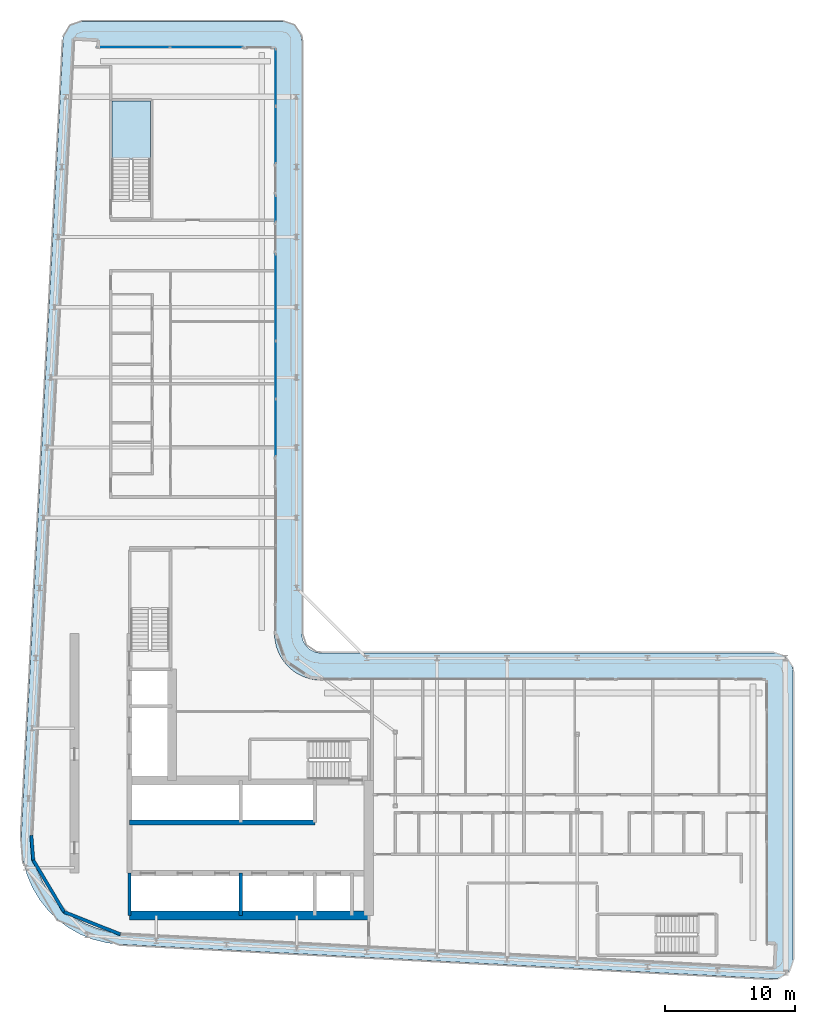
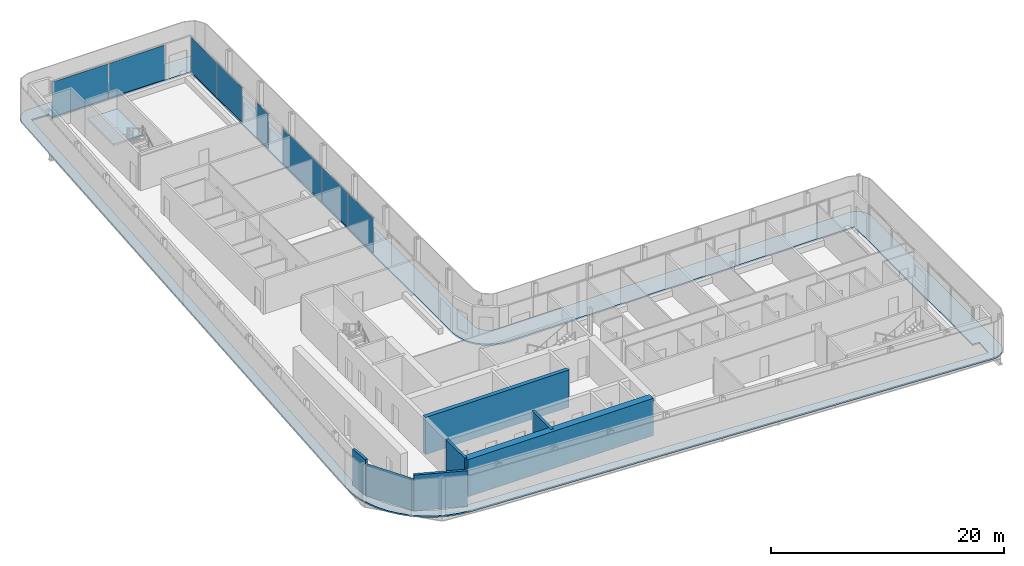
# One storey, part 9 of 21: 8 plates, 7 walls, 2 slabs, 6 elements without a shape of their own.
"""IFC4 building model written with IfcOpenShell, lengths in metres."""

from ifc_helpers import new_model, si_unit, direction, frame, frame_2d, origin, origin_2d, place, context, subcontext, project, spatial, polyline, rectangle, outline, extrude, material, layer, layer_set, type_object, element, aggregate, save


model = new_model("IFC4")

# Units and contexts
model_context = context("Model", 3, precision=1e-05, world=origin(), true_north=direction((0.0, 1.0)))
body_context = subcontext(model_context, "Body", "Model", "MODEL_VIEW")
ifc_project = project(units=[si_unit("LENGTHUNIT", "METRE"), si_unit("AREAUNIT", "SQUARE_METRE"), si_unit("VOLUMEUNIT", "CUBIC_METRE"), si_unit("PLANEANGLEUNIT", "RADIAN"), si_unit("MASSUNIT", "GRAM", prefix="KILO")], contexts=[model_context])

# Site, building, storey
site_placement = place(None, origin())
site = spatial("IfcSite", under=ifc_project, at=site_placement, CompositionType="ELEMENT")
building_placement = place(site_placement, origin())
building = spatial("IfcBuilding", under=site, at=building_placement, Name="Kheshtan School and Residences Tower", CompositionType="ELEMENT")
storey_placement = place(building_placement, frame((0.0, 0.0, 235.699951171875)))
storey = spatial("IfcBuildingStorey", under=building, at=storey_placement, Name="L55", CompositionType="ELEMENT", Elevation=235.699951171875)

# Curtain wall, plates
ifc_material_1 = material(Name="Clear low-e glass in thermally broken aluminium frame", Category="aluminium")
ifc_layer_1 = layer(ifc_material_1, 0.199951171875)
ifc_layer_set_1 = layer_set([ifc_layer_1], Name="Curtain wall CW-L")
curtain_wall_type = type_object("IfcCurtainWallType", Name="Curtain wall CW-L", PredefinedType="NOTDEFINED", material=ifc_layer_set_1)
curtain_wall_1_placement = place(storey_placement, origin())
curtain_wall_1 = element("IfcCurtainWall", 1, at=curtain_wall_1_placement, inside=storey, type_object=curtain_wall_type, Name="Curtain wall CWL3a", PredefinedType="NOTDEFINED")
ifc_layer_2 = layer(ifc_material_1, 0.031982421875)
ifc_layer_set_2 = layer_set([ifc_layer_2], Name="CW-L glass panel")
plate_type = type_object("IfcPlateType", Name="CW-L glass panel", PredefinedType="CURTAIN_PANEL", material=ifc_layer_set_2)
plate_1_placement = place(storey_placement, frame((35.0458984375, 92.60009765625, 0.0), z_axis=(0.0, 0.0, 1.0), x_axis=(1.0, 0.0, 0.0)))
plate_1 = element("IfcPlate", 2, at=plate_1_placement, type_object=plate_type, Name="CWL3a panel 1.1", PredefinedType="CURTAIN_PANEL", context=body_context, shape_type="SweptSolid", body=[
    extrude(rectangle(XDim=5.555908203125, YDim=0.031982421875, at=origin_2d()), origin(), (0.0, 0.0, 1.0), 3.6298828125),
])
plate_2_placement = place(storey_placement, frame((40.662109375, 92.60009765625, 0.0), z_axis=(0.0, 0.0, 1.0), x_axis=(1.0, 0.0, 0.0)))
plate_2 = element("IfcPlate", 3, at=plate_2_placement, type_object=plate_type, Name="CWL3a panel 2.1", PredefinedType="CURTAIN_PANEL", context=body_context, shape_type="SweptSolid", body=[
    extrude(rectangle(XDim=5.555908203125, YDim=0.031982421875, at=origin_2d()), origin(), (0.0, 0.0, 1.0), 3.6298828125),
])
aggregate(curtain_wall_1, [plate_1, plate_2])

curtain_wall_2_placement = place(storey_placement, origin())
curtain_wall_2 = element("IfcCurtainWall", 4, at=curtain_wall_2_placement, inside=storey, type_object=curtain_wall_type, Name="Curtain wall CWL4b", PredefinedType="NOTDEFINED")
plate_3_placement = place(storey_placement, frame((46.0, 90.26806640625, 0.0), z_axis=(0.0, 0.0, 1.0), x_axis=(0.0, -1.0, 0.0)))
plate_3 = element("IfcPlate", 5, at=plate_3_placement, type_object=plate_type, Name="CWL4b panel 1.1", PredefinedType="CURTAIN_PANEL", context=body_context, shape_type="SweptSolid", body=[
    extrude(rectangle(XDim=4.34375, YDim=0.031982421875, at=origin_2d()), origin(), (0.0, 0.0, 1.0), 3.6298828125),
])
plate_4_placement = place(storey_placement, frame((46.0, 85.8642578125, 0.0), z_axis=(0.0, 0.0, 1.0), x_axis=(0.0, -1.0, 0.0)))
plate_4 = element("IfcPlate", 6, at=plate_4_placement, type_object=plate_type, Name="CWL4b panel 2.1", PredefinedType="CURTAIN_PANEL", context=body_context, shape_type="SweptSolid", body=[
    extrude(rectangle(XDim=4.34375, YDim=0.031982421875, at=origin_2d()), origin(), (0.0, 0.0, 1.0), 3.6298828125),
])
aggregate(curtain_wall_2, [plate_3, plate_4])

# Curtain wall, plate
curtain_wall_3_placement = place(storey_placement, origin())
curtain_wall_3 = element("IfcCurtainWall", 7, at=curtain_wall_3_placement, inside=storey, type_object=curtain_wall_type, Name="Curtain wall CWL4c", PredefinedType="NOTDEFINED")
plate_5_placement = place(storey_placement, frame((46.0, 80.1826171875, 0.0), z_axis=(0.0, 0.0, 1.0), x_axis=(0.0, -1.0, 0.0)))
plate_5 = element("IfcPlate", 8, at=plate_5_placement, type_object=plate_type, Name="CWL4c panel 1.1", PredefinedType="CURTAIN_PANEL", context=body_context, shape_type="SweptSolid", body=[
    extrude(rectangle(XDim=1.97998046875, YDim=0.031982421875, at=origin_2d()), origin(), (0.0, 0.0, 1.0), 3.6298828125),
])
aggregate(curtain_wall_3, [plate_5])

curtain_wall_4_placement = place(storey_placement, origin())
curtain_wall_4 = element("IfcCurtainWall", 9, at=curtain_wall_4_placement, inside=storey, type_object=curtain_wall_type, Name="Curtain wall CWL4d", PredefinedType="NOTDEFINED")
plate_6_placement = place(storey_placement, frame((46.0, 73.3486328125, 0.0), z_axis=(0.0, 0.0, 1.0), x_axis=(0.0, -1.0, 0.0)))
plate_6 = element("IfcPlate", 10, at=plate_6_placement, type_object=plate_type, Name="CWL4d panel 1.1", PredefinedType="CURTAIN_PANEL", context=body_context, shape_type="SweptSolid", body=[
    extrude(rectangle(XDim=6.6474609375, YDim=0.031982421875, at=origin_2d()), origin(), (0.0, 0.0, 1.0), 3.6298828125),
])
aggregate(curtain_wall_4, [plate_6])

# Curtain wall, plates
curtain_wall_5_placement = place(storey_placement, origin())
curtain_wall_5 = element("IfcCurtainWall", 11, at=curtain_wall_5_placement, inside=storey, type_object=curtain_wall_type, Name="Curtain wall CWL4b", PredefinedType="NOTDEFINED")
plate_7_placement = place(storey_placement, frame((46.0, 67.76318359375, 0.0), z_axis=(0.0, 0.0, 1.0), x_axis=(0.0, -1.0, 0.0)))
plate_7 = element("IfcPlate", 12, at=plate_7_placement, type_object=plate_type, Name="CWL4b panel 1.1", PredefinedType="CURTAIN_PANEL", context=body_context, shape_type="SweptSolid", body=[
    extrude(rectangle(XDim=4.40380859375, YDim=0.031982421875, at=origin_2d()), origin(), (0.0, 0.0, 1.0), 3.6298828125),
])
plate_8_placement = place(storey_placement, frame((46.0, 63.329345703125, 0.0), z_axis=(0.0, 0.0, 1.0), x_axis=(0.0, -1.0, 0.0)))
plate_8 = element("IfcPlate", 13, at=plate_8_placement, type_object=plate_type, Name="CWL4b panel 2.1", PredefinedType="CURTAIN_PANEL", context=body_context, shape_type="SweptSolid", body=[
    extrude(rectangle(XDim=4.34375, YDim=0.031982421875, at=origin_2d()), origin(), (0.0, 0.0, 1.0), 3.6298828125),
])
aggregate(curtain_wall_5, [plate_7, plate_8])

# Slab
ifc_material_2 = material(Name="Concrete C40/50", Category="concrete")
ifc_layer_3 = layer(ifc_material_2, 0.14990234375)
ifc_layer_set_3 = layer_set([ifc_layer_3], Name="Loggia balcony slab 150 Concrete C40/50")
slab_type_1 = type_object("IfcSlabType", Name="Loggia balcony slab 150 Concrete C40/50", PredefinedType="FLOOR", material=ifc_layer_set_3)
slab_1_placement = place(storey_placement, frame((0.0, 0.0, -0.14990234375)))
element("IfcSlab", 14, at=slab_1_placement, inside=storey, type_object=slab_type_1, Name="Loggia balcony slab L55", PredefinedType="FLOOR", context=body_context, shape_type="SweptSolid", body=[
    extrude(outline(polyline([(28.4580078125, 26.222900390625), (28.45703125, 26.222900390625), (28.45703125, 26.22412109375), (28.4560546875, 26.22412109375), (27.81494140625, 27.0390625), (27.281005859375, 27.93798828125), (26.867919921875, 28.89990234375), (26.583984375, 29.89990234375), (26.583984375, 29.906982421875), (26.43408203125, 30.943115234375), (26.419921875, 31.989013671875), (29.64111328125, 93.178955078125), (29.64697265625, 93.22705078125), (29.64697265625, 93.22802734375), (29.64599609375, 93.22802734375), (29.64599609375, 93.22900390625), (29.64501953125, 93.22900390625), (29.64501953125, 93.22998046875), (29.64404296875, 93.22998046875), (29.64404296875, 93.23095703125), (29.64306640625, 93.23095703125), (29.64306640625, 93.23193359375), (29.64306640625, 93.23291015625), (29.660888671875, 93.381103515625), (29.660888671875, 93.384033203125), (29.660888671875, 93.385009765625), (29.662109375, 93.385009765625), (29.662109375, 93.385986328125), (29.6630859375, 93.385986328125), (29.6630859375, 93.386962890625), (29.6640625, 93.386962890625), (29.6650390625, 93.386962890625), (29.6650390625, 93.387939453125), (29.666015625, 93.387939453125), (29.666015625, 93.388916015625), (29.666015625, 93.39111328125), (29.718994140625, 93.583984375), (29.799072265625, 93.77490234375), (29.905029296875, 93.952880859375), (30.027099609375, 94.10693359375), (30.028076171875, 94.10693359375), (30.028076171875, 94.10791015625), (30.029052734375, 94.10791015625), (30.029052734375, 94.10888671875), (30.030029296875, 94.10888671875), (30.030029296875, 94.110107421875), (30.031005859375, 94.110107421875), (30.031005859375, 94.111083984375), (30.031982421875, 94.111083984375), (30.031982421875, 94.112060546875), (30.032958984375, 94.112060546875), (30.032958984375, 94.113037109375), (30.033935546875, 94.113037109375), (30.0380859375, 94.113037109375), (30.0390625, 94.113037109375), (30.0390625, 94.114013671875), (30.18408203125, 94.257080078125), (30.18505859375, 94.257080078125), (30.18505859375, 94.258056640625), (30.18603515625, 94.258056640625), (30.18603515625, 94.259033203125), (30.18701171875, 94.259033203125), (30.18701171875, 94.260009765625), (30.18798828125, 94.260009765625), (30.18798828125, 94.260986328125), (30.18896484375, 94.260986328125), (30.18896484375, 94.261962890625), (30.18994140625, 94.261962890625), (30.18994140625, 94.262939453125), (30.19091796875, 94.262939453125), (30.19091796875, 94.263916015625), (30.35205078125, 94.376953125), (30.534912109375, 94.472900390625), (30.722900390625, 94.54296875), (30.72998046875, 94.54296875), (30.93310546875, 94.5859375), (31.138916015625, 94.60009765625), (46.5, 94.60009765625), (46.696044921875, 94.5869140625), (46.887939453125, 94.549072265625), (46.89501953125, 94.549072265625), (47.073974609375, 94.486083984375), (47.242919921875, 94.40087890625), (47.243896484375, 94.40087890625), (47.2470703125, 94.40087890625), (47.248046875, 94.40087890625), (47.248046875, 94.402099609375), (47.2490234375, 94.402099609375), (47.2490234375, 94.403076171875), (47.25, 94.403076171875), (47.2529296875, 94.403076171875), (47.25390625, 94.403076171875), (47.25390625, 94.402099609375), (47.2548828125, 94.402099609375), (47.2548828125, 94.40087890625), (47.256103515625, 94.40087890625), (47.256103515625, 94.39990234375), (47.257080078125, 94.39990234375), (47.257080078125, 94.39892578125), (47.258056640625, 94.39892578125), (47.258056640625, 94.39794921875), (47.412109375, 94.2958984375), (47.4130859375, 94.2958984375), (47.4130859375, 94.294921875), (47.4140625, 94.294921875), (47.4140625, 94.2939453125), (47.4140625, 94.2900390625), (47.4140625, 94.2890625), (47.4150390625, 94.2890625), (47.4150390625, 94.2880859375), (47.416015625, 94.2880859375), (47.416015625, 94.287109375), (47.4169921875, 94.287109375), (47.4169921875, 94.285888671875), (47.554931640625, 94.16796875), (47.554931640625, 94.1669921875), (47.555908203125, 94.1669921875), (47.555908203125, 94.166015625), (47.556884765625, 94.166015625), (47.556884765625, 94.1650390625), (47.55810546875, 94.1650390625), (47.55810546875, 94.1640625), (47.55908203125, 94.1640625), (47.55908203125, 94.1630859375), (47.56005859375, 94.1630859375), (47.56005859375, 94.162109375), (47.56103515625, 94.162109375), (47.56201171875, 94.160888671875), (47.56201171875, 94.159912109375), (47.56298828125, 94.159912109375), (47.56298828125, 94.158935546875), (47.56396484375, 94.158935546875), (47.56396484375, 94.157958984375), (47.56494140625, 94.157958984375), (47.56494140625, 94.156982421875), (47.56591796875, 94.156982421875), (47.56591796875, 94.156005859375), (47.56689453125, 94.156005859375), (47.56689453125, 94.155029296875), (47.568115234375, 94.155029296875), (47.68505859375, 94.01806640625), (47.68603515625, 94.01806640625), (47.68603515625, 94.01708984375), (47.68701171875, 94.01708984375), (47.68701171875, 94.01611328125), (47.68798828125, 94.01611328125), (47.68798828125, 94.014892578125), (47.68896484375, 94.014892578125), (47.68896484375, 94.013916015625), (47.68994140625, 94.013916015625), (47.694091796875, 94.013916015625), (47.695068359375, 94.013916015625), (47.695068359375, 94.012939453125), (47.696044921875, 94.012939453125), (47.696044921875, 94.011962890625), (47.797119140625, 93.85888671875), (47.798095703125, 93.85888671875), (47.798095703125, 93.85791015625), (47.799072265625, 93.85791015625), (47.799072265625, 93.85693359375), (47.800048828125, 93.85693359375), (47.800048828125, 93.85595703125), (47.801025390625, 93.85595703125), (47.801025390625, 93.85498046875), (47.802001953125, 93.85498046875), (47.802001953125, 93.85400390625), (47.802978515625, 93.85400390625), (47.802978515625, 93.85302734375), (47.802978515625, 93.85009765625), (47.802978515625, 93.84912109375), (47.802001953125, 93.84912109375), (47.802001953125, 93.847900390625), (47.801025390625, 93.847900390625), (47.801025390625, 93.846923828125), (47.801025390625, 93.843017578125), (47.801025390625, 93.842041015625), (47.885986328125, 93.674072265625), (47.948974609375, 93.4951171875), (47.948974609375, 93.488037109375), (47.987060546875, 93.2958984375), (48.0, 93.10009765625), (48.0, 47.5), (48.012939453125, 47.303955078125), (48.051025390625, 47.113037109375), (48.051025390625, 47.10693359375), (48.051025390625, 47.10595703125), (48.114013671875, 46.926025390625), (48.200927734375, 46.75), (48.31005859375, 46.5869140625), (48.431884765625, 46.444091796875), (48.43310546875, 46.444091796875), (48.43310546875, 46.443115234375), (48.43408203125, 46.443115234375), (48.43408203125, 46.44189453125), (48.43505859375, 46.44189453125), (48.43505859375, 46.44091796875), (48.43603515625, 46.44091796875), (48.43603515625, 46.43994140625), (48.43701171875, 46.43994140625), (48.43701171875, 46.43896484375), (48.43798828125, 46.43896484375), (48.43896484375, 46.43798828125), (48.43896484375, 46.43701171875), (48.43994140625, 46.43701171875), (48.43994140625, 46.43603515625), (48.44091796875, 46.43603515625), (48.44091796875, 46.43505859375), (48.44189453125, 46.43505859375), (48.44189453125, 46.43408203125), (48.443115234375, 46.43408203125), (48.443115234375, 46.43310546875), (48.444091796875, 46.43310546875), (48.444091796875, 46.431884765625), (48.5869140625, 46.31005859375), (48.75, 46.200927734375), (48.926025390625, 46.114013671875), (49.10595703125, 46.051025390625), (49.10693359375, 46.051025390625), (49.113037109375, 46.051025390625), (49.303955078125, 46.012939453125), (49.5, 46.0), (84.300048828125, 46.0), (84.49609375, 45.987060546875), (84.68798828125, 45.948974609375), (84.695068359375, 45.948974609375), (84.8740234375, 45.885986328125), (85.0419921875, 45.801025390625), (85.04296875, 45.801025390625), (85.047119140625, 45.801025390625), (85.048095703125, 45.801025390625), (85.048095703125, 45.802001953125), (85.049072265625, 45.802001953125), (85.049072265625, 45.802978515625), (85.050048828125, 45.802978515625), (85.052978515625, 45.802978515625), (85.053955078125, 45.802978515625), (85.053955078125, 45.802001953125), (85.054931640625, 45.802001953125), (85.054931640625, 45.801025390625), (85.055908203125, 45.801025390625), (85.055908203125, 45.800048828125), (85.056884765625, 45.800048828125), (85.056884765625, 45.799072265625), (85.05810546875, 45.799072265625), (85.05810546875, 45.798095703125), (85.05908203125, 45.798095703125), (85.05908203125, 45.797119140625), (85.06005859375, 45.797119140625), (85.06005859375, 45.7958984375), (85.2119140625, 45.696044921875), (85.212890625, 45.696044921875), (85.212890625, 45.695068359375), (85.214111328125, 45.695068359375), (85.214111328125, 45.694091796875), (85.214111328125, 45.68994140625), (85.214111328125, 45.68896484375), (85.215087890625, 45.68896484375), (85.215087890625, 45.68798828125), (85.216064453125, 45.68798828125), (85.216064453125, 45.68701171875), (85.217041015625, 45.68701171875), (85.217041015625, 45.68603515625), (85.218017578125, 45.68603515625), (85.218017578125, 45.68505859375), (85.218994140625, 45.68505859375), (85.218994140625, 45.68408203125), (85.35498046875, 45.568115234375), (85.35498046875, 45.56689453125), (85.35595703125, 45.56689453125), (85.35595703125, 45.56591796875), (85.35693359375, 45.56591796875), (85.35693359375, 45.56494140625), (85.35791015625, 45.56494140625), (85.35791015625, 45.56396484375), (85.35888671875, 45.56396484375), (85.35888671875, 45.56298828125), (85.360107421875, 45.56298828125), (85.360107421875, 45.56201171875), (85.361083984375, 45.56201171875), (85.362060546875, 45.56103515625), (85.362060546875, 45.56005859375), (85.363037109375, 45.56005859375), (85.363037109375, 45.55908203125), (85.364013671875, 45.55908203125), (85.364013671875, 45.55810546875), (85.364990234375, 45.55810546875), (85.364990234375, 45.556884765625), (85.365966796875, 45.556884765625), (85.365966796875, 45.555908203125), (85.366943359375, 45.555908203125), (85.366943359375, 45.554931640625), (85.367919921875, 45.554931640625), (85.48193359375, 45.4208984375), (85.48291015625, 45.4208984375), (85.48291015625, 45.419921875), (85.48388671875, 45.419921875), (85.48388671875, 45.4189453125), (85.485107421875, 45.4189453125), (85.485107421875, 45.41796875), (85.486083984375, 45.41796875), (85.486083984375, 45.4169921875), (85.487060546875, 45.4169921875), (85.487060546875, 45.416015625), (85.488037109375, 45.416015625), (85.488037109375, 45.4150390625), (85.489013671875, 45.4150390625), (85.489013671875, 45.4140625), (85.489990234375, 45.4140625), (85.493896484375, 45.4140625), (85.4951171875, 45.4140625), (85.4951171875, 45.4130859375), (85.49609375, 45.4130859375), (85.49609375, 45.412109375), (85.593994140625, 45.261962890625), (85.594970703125, 45.261962890625), (85.594970703125, 45.260986328125), (85.595947265625, 45.260986328125), (85.595947265625, 45.260009765625), (85.596923828125, 45.260009765625), (85.596923828125, 45.259033203125), (85.597900390625, 45.259033203125), (85.597900390625, 45.258056640625), (85.59912109375, 45.258056640625), (85.59912109375, 45.257080078125), (85.60009765625, 45.257080078125), (85.60009765625, 45.256103515625), (85.60107421875, 45.256103515625), (85.60107421875, 45.2548828125), (85.60205078125, 45.2548828125), (85.60205078125, 45.25390625), (85.60302734375, 45.25390625), (85.60302734375, 45.2529296875), (85.60302734375, 45.25), (85.60302734375, 45.2490234375), (85.60205078125, 45.2490234375), (85.60205078125, 45.248046875), (85.60107421875, 45.248046875), (85.60107421875, 45.2470703125), (85.60107421875, 45.240966796875), (85.60107421875, 45.239990234375), (85.68603515625, 45.073974609375), (85.7490234375, 44.89501953125), (85.7490234375, 44.887939453125), (85.787109375, 44.696044921875), (85.800048828125, 44.5), (85.800048828125, 22.43408203125), (85.785888671875, 22.23095703125), (85.7451171875, 22.032958984375), (85.7451171875, 22.02587890625), (85.677978515625, 21.841064453125), (85.5859375, 21.660888671875), (85.470947265625, 21.49609375), (85.470947265625, 21.4951171875), (85.470947265625, 21.493896484375), (85.470947265625, 21.492919921875), (85.471923828125, 21.492919921875), (85.471923828125, 21.491943359375), (85.471923828125, 21.489990234375), (85.471923828125, 21.489013671875), (85.470947265625, 21.489013671875), (85.470947265625, 21.488037109375), (85.337890625, 21.343994140625), (85.3349609375, 21.341064453125), (85.333984375, 21.341064453125), (85.333984375, 21.340087890625), (85.3330078125, 21.340087890625), (85.3310546875, 21.340087890625), (85.330078125, 21.340087890625), (85.330078125, 21.341064453125), (85.3291015625, 21.341064453125), (85.327880859375, 21.341064453125), (85.326904296875, 21.341064453125), (85.176025390625, 21.216064453125), (85.00390625, 21.10888671875), (84.819091796875, 21.02587890625), (84.631103515625, 20.968994140625), (84.6240234375, 20.968994140625), (84.424072265625, 20.93896484375), (84.220947265625, 20.93603515625), (33.989013671875, 23.580078125), (33.94189453125, 23.5859375), (33.94091796875, 23.5859375), (33.93994140625, 23.5859375), (33.93994140625, 23.5849609375), (33.93896484375, 23.5849609375), (33.93896484375, 23.583984375), (33.93798828125, 23.583984375), (33.93798828125, 23.5830078125), (33.93701171875, 23.5830078125), (33.93701171875, 23.58203125), (33.93603515625, 23.58203125), (33.93505859375, 23.58203125), (32.952880859375, 23.697998046875), (32.949951171875, 23.697998046875), (32.948974609375, 23.697998046875), (32.948974609375, 23.698974609375), (32.947998046875, 23.698974609375), (32.947998046875, 23.699951171875), (32.947021484375, 23.699951171875), (32.947021484375, 23.700927734375), (32.947021484375, 23.702880859375), (32.947021484375, 23.7041015625), (32.946044921875, 23.7041015625), (32.946044921875, 23.705078125), (32.945068359375, 23.705078125), (32.944091796875, 23.705078125), (31.93603515625, 23.9609375), (31.928955078125, 23.9609375), (30.964111328125, 24.34912109375), (30.051025390625, 24.860107421875), (29.218994140625, 25.47900390625), (29.218994140625, 25.47998046875), (29.218017578125, 25.47998046875), (29.218017578125, 25.48095703125), (29.217041015625, 25.48095703125), (29.217041015625, 25.48193359375), (29.216064453125, 25.48193359375), (29.216064453125, 25.48291015625), (29.215087890625, 25.48291015625), (29.215087890625, 25.48388671875), (29.214111328125, 25.48388671875), (29.214111328125, 25.485107421875), (29.212890625, 25.485107421875), (29.212890625, 25.486083984375), (29.2119140625, 25.486083984375), (28.468017578125, 26.217041015625), (28.468017578125, 26.218017578125), (28.467041015625, 26.218017578125), (28.462890625, 26.218017578125), (28.4619140625, 26.218017578125), (28.4619140625, 26.218994140625), (28.4609375, 26.218994140625), (28.4609375, 26.219970703125), (28.4599609375, 26.219970703125), (28.4599609375, 26.220947265625), (28.458984375, 26.220947265625), (28.458984375, 26.221923828125), (28.4580078125, 26.221923828125), (28.4580078125, 26.222900390625)]), holes=[polyline([(27.466064453125, 30.0869140625), (27.718017578125, 29.200927734375), (28.0849609375, 28.345947265625), (28.55908203125, 27.550048828125), (29.126953125, 26.825927734375), (29.1279296875, 26.825927734375), (29.1279296875, 26.824951171875), (29.12890625, 26.824951171875), (29.12890625, 26.823974609375), (29.1298828125, 26.823974609375), (29.1298828125, 26.822998046875), (29.131103515625, 26.822998046875), (29.131103515625, 26.822021484375), (29.132080078125, 26.822021484375), (29.132080078125, 26.821044921875), (29.133056640625, 26.821044921875), (29.133056640625, 26.820068359375), (29.134033203125, 26.820068359375), (29.7939453125, 26.173095703125), (29.7939453125, 26.172119140625), (29.794921875, 26.172119140625), (29.798095703125, 26.172119140625), (29.799072265625, 26.172119140625), (29.799072265625, 26.1708984375), (29.800048828125, 26.1708984375), (29.800048828125, 26.169921875), (29.801025390625, 26.169921875), (29.801025390625, 26.1689453125), (29.802001953125, 26.1689453125), (29.802001953125, 26.16796875), (29.802978515625, 26.16796875), (29.802978515625, 26.1669921875), (29.803955078125, 26.1669921875), (29.803955078125, 26.166015625), (30.541015625, 25.616943359375), (31.35205078125, 25.1630859375), (32.208984375, 24.819091796875), (32.2099609375, 24.819091796875), (32.216064453125, 24.819091796875), (33.114990234375, 24.590087890625), (34.06591796875, 24.47705078125), (84.238037109375, 21.8359375), (84.264892578125, 21.8369140625), (84.26611328125, 21.8369140625), (84.26708984375, 21.8369140625), (84.26708984375, 21.837890625), (84.26806640625, 21.837890625), (84.26806640625, 21.839111328125), (84.26806640625, 21.840087890625), (84.35791015625, 23.529052734375), (84.35791015625, 23.530029296875), (84.35791015625, 23.531005859375), (84.35693359375, 23.531005859375), (84.35693359375, 23.531982421875), (84.35595703125, 23.531982421875), (84.35498046875, 23.531982421875), (83.700927734375, 23.56689453125), (83.699951171875, 23.56689453125), (83.699951171875, 23.568115234375), (83.699951171875, 43.89794921875), (83.699951171875, 43.89892578125), (83.698974609375, 43.89892578125), (83.698974609375, 43.89990234375), (83.697998046875, 43.89990234375), (49.429931640625, 43.89990234375), (49.030029296875, 43.927001953125), (48.569091796875, 44.01806640625), (48.56201171875, 44.01806640625), (48.1201171875, 44.169921875), (47.697021484375, 44.37890625), (47.30810546875, 44.638916015625), (46.95703125, 44.944091796875), (46.95703125, 44.945068359375), (46.9560546875, 44.945068359375), (46.9560546875, 44.946044921875), (46.955078125, 44.946044921875), (46.955078125, 44.947021484375), (46.9541015625, 44.947021484375), (46.9541015625, 44.947998046875), (46.952880859375, 44.947998046875), (46.952880859375, 44.948974609375), (46.951904296875, 44.948974609375), (46.951904296875, 44.949951171875), (46.951904296875, 44.950927734375), (46.950927734375, 44.950927734375), (46.950927734375, 44.951904296875), (46.949951171875, 44.951904296875), (46.948974609375, 44.951904296875), (46.948974609375, 44.952880859375), (46.947998046875, 44.952880859375), (46.947998046875, 44.9541015625), (46.947021484375, 44.9541015625), (46.947021484375, 44.955078125), (46.946044921875, 44.955078125), (46.946044921875, 44.9560546875), (46.945068359375, 44.9560546875), (46.945068359375, 44.95703125), (46.944091796875, 44.95703125), (46.638916015625, 45.30810546875), (46.37890625, 45.697021484375), (46.169921875, 46.1201171875), (46.01806640625, 46.56201171875), (46.01806640625, 46.569091796875), (45.927001953125, 47.030029296875), (45.89990234375, 47.429931640625), (45.89990234375, 92.498046875), (45.89990234375, 92.4990234375), (45.89892578125, 92.4990234375), (45.89892578125, 92.5), (45.89794921875, 92.5), (32.208984375, 92.5), (32.2080078125, 92.5), (32.237060546875, 93.0390625), (32.237060546875, 93.0400390625), (32.237060546875, 93.041015625), (32.236083984375, 93.041015625), (32.236083984375, 93.0419921875), (32.235107421875, 93.0419921875), (32.23388671875, 93.0419921875), (30.544921875, 93.132080078125), (30.5439453125, 93.132080078125), (30.54296875, 93.132080078125), (30.54296875, 93.131103515625), (30.5419921875, 93.131103515625), (30.5419921875, 93.1298828125), (30.5419921875, 93.12890625), (30.5380859375, 93.10107421875), (27.320068359375, 31.970947265625), (27.3330078125, 31.013916015625), (27.466064453125, 30.093994140625), (27.466064453125, 30.087890625), (27.466064453125, 30.0869140625)])]), origin(), (0.0, 0.0, 1.0), 0.14990234375),
])

# Stair, slab
stair_type = type_object("IfcStairType", Name="Exit stair, half-turn", PredefinedType="HALF_TURN_STAIR", material=ifc_material_2)
stair_placement = place(storey_placement, origin())
stair = element("IfcStair", 15, at=stair_placement, inside=storey, type_object=stair_type, Name="L55 Protected Exit Stair ST3", PredefinedType="HALF_TURN_STAIR")
ifc_layer_4 = layer(ifc_material_2, 0.199951171875)
ifc_layer_set_4 = layer_set([ifc_layer_4], Name="Stair landing 200 Concrete C40/50")
slab_type_2 = type_object("IfcSlabType", Name="Stair landing 200 Concrete C40/50", PredefinedType="LANDING", material=ifc_layer_set_4)
slab_2_placement = place(storey_placement, frame((0.0, 0.0, 1.75)))
slab_2 = element("IfcSlab", 16, at=slab_2_placement, type_object=slab_type_2, Name="ST3 landing 1", PredefinedType="LANDING", context=body_context, shape_type="SweptSolid", body=[
    extrude(outline(polyline([(36.35009765625, 83.97998046875), (36.35009765625, 88.4599609375), (33.39990234375, 88.4599609375), (33.39990234375, 83.97998046875), (36.35009765625, 83.97998046875)])), origin(), (0.0, 0.0, 1.0), 0.199951171875),
])
aggregate(stair, [slab_2])

# Walls
ifc_material_3 = material(Name="Concrete C50/60", Category="concrete")
ifc_layer_5 = layer(ifc_material_3, 0.39990234375)
ifc_layer_set_5 = layer_set([ifc_layer_5], Name="Core wall 400 Concrete C50/60")
wall_type_1 = type_object("IfcWallType", Name="Core wall 400 Concrete C50/60", PredefinedType="SHEAR", material=ifc_layer_set_5)
wall_1_placement = place(storey_placement, frame((34.75, 32.949951171875, 0.0), z_axis=(0.0, 0.0, 1.0), x_axis=(1.0, 0.0, 0.0)))
element("IfcWall", 17, at=wall_1_placement, inside=storey, type_object=wall_type_1, Name="Core wall CW-HALL-S2", PredefinedType="SHEAR", context=body_context, shape_type="SweptSolid", body=[
    extrude(rectangle(XDim=14.25, YDim=0.39990234375, at=frame_2d((7.125, 0.0))), origin(), (0.0, 0.0, 1.0), 3.900146484375),
])
ifc_material_4 = material(Name="Concrete C70/85", Category="concrete")
ifc_layer_6 = layer(ifc_material_4, 0.699951171875)
ifc_layer_set_6 = layer_set([ifc_layer_6], Name="Core wall 700 Concrete C70/85")
wall_type_2 = type_object("IfcWallType", Name="Core wall 700 Concrete C70/85", PredefinedType="SHEAR", material=ifc_layer_set_6)
wall_2_placement = place(storey_placement, frame((34.75, 25.800048828125, 0.0), z_axis=(0.0, 0.0, 1.0), x_axis=(1.0, 0.0, 0.0)))
element("IfcWall", 18, at=wall_2_placement, inside=storey, type_object=wall_type_2, Name="Core wall CW-REAR-S", PredefinedType="SHEAR", context=body_context, shape_type="SweptSolid", body=[
    extrude(rectangle(XDim=18.39990234375, YDim=0.699951171875, at=frame_2d((9.199951171875, 0.0))), origin(), (0.0, 0.0, 1.0), 3.900146484375),
])
ifc_material_5 = material(Name="Concrete C40/50 with ceramic cladding and mineral wool insulation", Category="concrete")
ifc_layer_7 = layer(ifc_material_5, 0.25)
ifc_layer_set_7 = layer_set([ifc_layer_7], Name="External wall 250 ceramic clad")
wall_type_3 = type_object("IfcWallType", Name="External wall 250 ceramic clad", PredefinedType="SOLIDWALL", material=ifc_layer_set_7)
wall_3_placement = place(storey_placement, frame((34.0390625, 24.35302734375, 0.0), z_axis=(0.0, 0.0, 1.0), x_axis=(-0.929352825399, 0.369192803184, 0.0)))
element("IfcWall", 19, at=wall_3_placement, inside=storey, type_object=wall_type_3, Name="External wall L55 13", PredefinedType="SOLIDWALL", context=body_context, shape_type="SweptSolid", body=[
    extrude(rectangle(XDim=4.656005859375, YDim=0.25, at=frame_2d((2.328125, 0.0))), origin(), (0.0, 0.0, 1.0), 3.75),
])
wall_4_placement = place(storey_placement, frame((29.7119140625, 26.072021484375, 0.0), z_axis=(0.0, 0.0, 1.0), x_axis=(-0.511028049012, 0.859564036662, 0.0)))
element("IfcWall", 20, at=wall_4_placement, inside=storey, type_object=wall_type_3, Name="External wall L55 14", PredefinedType="SOLIDWALL", context=body_context, shape_type="SweptSolid", body=[
    extrude(rectangle(XDim=4.633544921875, YDim=0.25, at=frame_2d((2.31689453125, 0.0))), origin(), (0.0, 0.0, 1.0), 3.217041015625),
])
wall_5_placement = place(storey_placement, frame((27.343994140625, 30.054931640625, 0.0), z_axis=(0.0, 0.0, 1.0), x_axis=(-0.077571675317, 0.99698677784, 0.0)))
element("IfcWall", 21, at=wall_5_placement, inside=storey, type_object=wall_type_3, Name="External wall L55 15", PredefinedType="SOLIDWALL", context=body_context, shape_type="SweptSolid", body=[
    extrude(rectangle(XDim=1.919921875, YDim=0.25, at=frame_2d((0.9599609375, 0.0))), origin(), (0.0, 0.0, 1.0), 3.75),
])
ifc_material_6 = material(Name="Fire-board shaft wall system")
ifc_layer_8 = layer(ifc_material_6, 0.25)
ifc_layer_set_8 = layer_set([ifc_layer_8], Name="Shaft lining wall 250")
wall_type_4 = type_object("IfcWallType", Name="Shaft lining wall 250", PredefinedType="PARTITIONING", material=ifc_layer_set_8)
for number, where, z_axis, x_axis, name in (
    (22, (34.75, 25.800048828125, 0.0), (0.0, 0.0, 1.0), (0.0, 1.0, 0.0), "Shaft lining wall"),
    (23, (43.300048828125, 25.800048828125, 0.0), (0.0, 0.0, 1.0), (0.0, 1.0, 0.0), "Shaft lining wall"),
):
    element("IfcWall", number, at=place(storey_placement, frame(where, z_axis=z_axis, x_axis=x_axis)), inside=storey, type_object=wall_type_4, Name=name, PredefinedType="PARTITIONING", context=body_context, shape_type="SweptSolid", body=[
        extrude(rectangle(XDim=3.25, YDim=0.25, at=frame_2d((1.625, 0.0))), origin(), (0.0, 0.0, 1.0), 3.900146484375),
    ])

save(model, "model.ifc")
